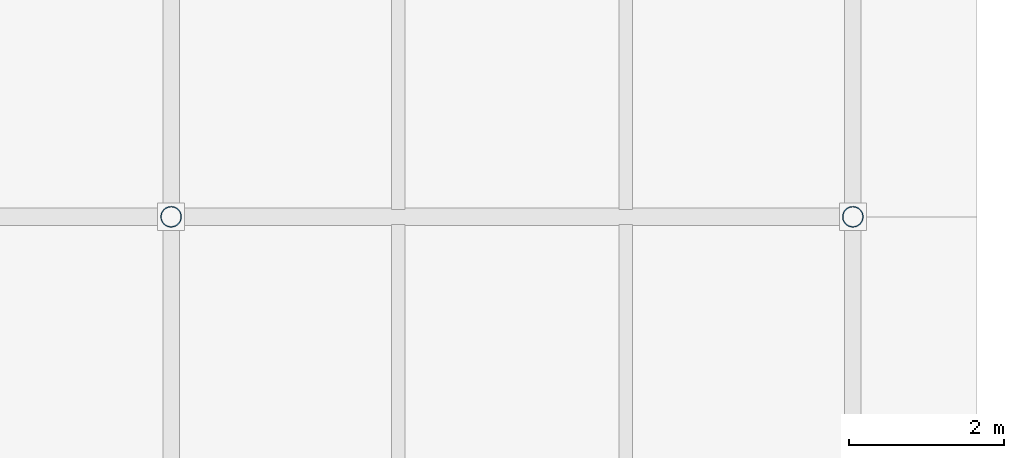
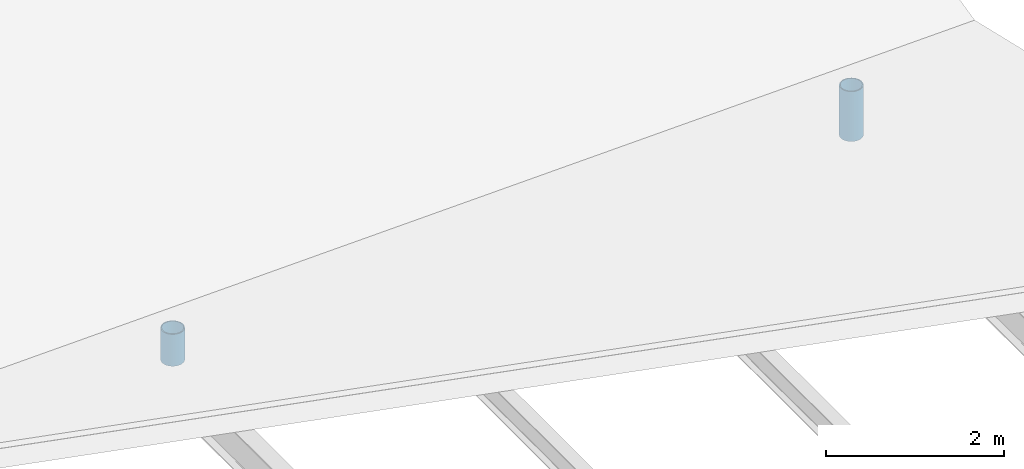
# One storey, part 11 of 65: 2 columns.
"""IFC4 building model written with IfcOpenShell, lengths in metres."""

from ifc_helpers import new_model, si_unit, direction, frame, origin, origin_2d, place, context, subcontext, project, spatial, hollow_circle, extrude, material, material_profile, profile_set, type_object, element, save


model = new_model("IFC4")

# Units and contexts
model_context = context("Model", 3, precision=1e-05, world=origin(), true_north=direction((0.0, 1.0)))
body_context = subcontext(model_context, "Body", "Model", "MODEL_VIEW")
ifc_project = project(units=[si_unit("LENGTHUNIT", "METRE"), si_unit("AREAUNIT", "SQUARE_METRE"), si_unit("VOLUMEUNIT", "CUBIC_METRE"), si_unit("PLANEANGLEUNIT", "RADIAN"), si_unit("MASSUNIT", "GRAM", prefix="KILO")], contexts=[model_context])

# Site, building, storey
site_placement = place(None, origin())
site = spatial("IfcSite", under=ifc_project, at=site_placement, CompositionType="ELEMENT")
building_placement = place(site_placement, origin())
building = spatial("IfcBuilding", under=site, at=building_placement, Name="Cinderway Yard Community Centre", CompositionType="ELEMENT")
storey_placement = place(building_placement, frame((0.0, 0.0, 24.300048828125)))
storey = spatial("IfcBuildingStorey", under=building, at=storey_placement, Name="RF", CompositionType="ELEMENT", Elevation=24.300048828125)

# Columns
ifc_material = material(Name="Steel S355", Category="steel")
ifc_material_profile = material_profile(ifc_material, hollow_circle(Radius=0.136474609375, WallThickness=0.012451171875, at=origin_2d()), Name="Steel S355")
ifc_profile_set = profile_set([ifc_material_profile], Name="Steel S355")
column_type = type_object("IfcColumnType", Name="STR-POST-CHS273", PredefinedType="PILASTER", material=ifc_profile_set)
column_1_placement = place(storey_placement, frame((110.39990234375, 106.800048828125, 0.0), z_axis=(0.0, 0.0, 1.0), x_axis=(1.0, 0.0, 0.0)))
element("IfcColumn", 1, at=column_1_placement, inside=storey, type_object=column_type, Name="V4 scissored roof post 110_106", PredefinedType="PILASTER", context=body_context, shape_type="SweptSolid", body=[
    extrude(hollow_circle(Radius=0.136474609375, WallThickness=0.012451171875, at=origin_2d()), origin(), (0.0, 0.0, 1.0), 0.43798828125),
])
column_2_placement = place(storey_placement, frame((119.199951171875, 106.800048828125, 0.0), z_axis=(0.0, 0.0, 1.0), x_axis=(1.0, 0.0, 0.0)))
element("IfcColumn", 2, at=column_2_placement, inside=storey, type_object=column_type, Name="V4 scissored roof post 119_106", PredefinedType="PILASTER", context=body_context, shape_type="SweptSolid", body=[
    extrude(hollow_circle(Radius=0.136474609375, WallThickness=0.012451171875, at=origin_2d()), origin(), (0.0, 0.0, 1.0), 0.68505859375),
])

save(model, "model.ifc")
